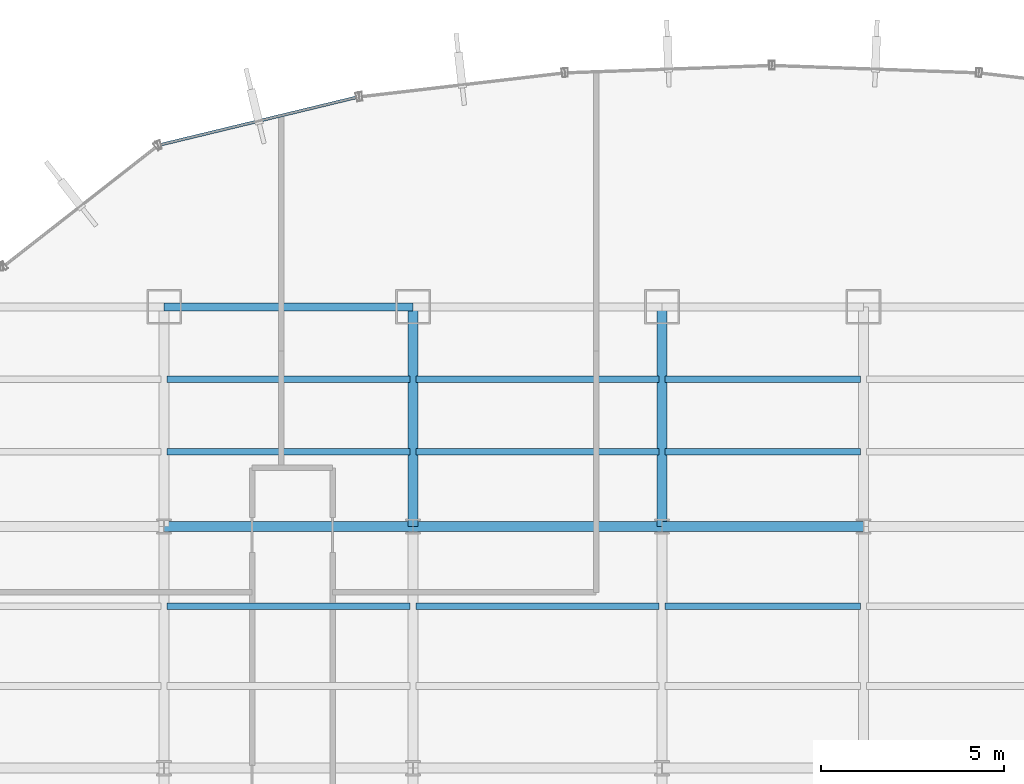
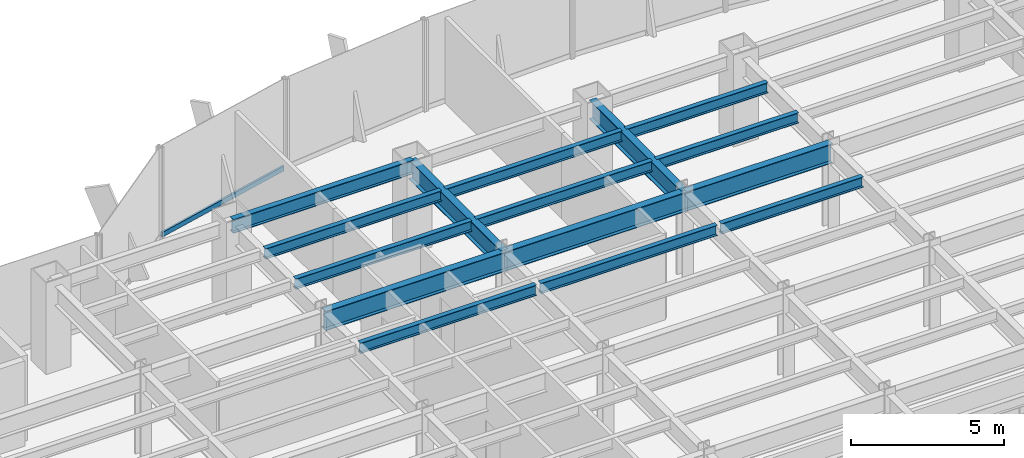
# One storey, part 11 of 22: 15 beams, 1 member, 1 element without a shape of its own.
"""IFC4 building model written with IfcOpenShell, lengths in metres."""

from ifc_helpers import new_model, si_unit, derived_unit, direction, frame, origin, origin_2d, place, context, subcontext, project, spatial, hollow_rectangle, i_section, extrude, source, transform, mapped, material, material_profile, profile_set, type_object, element, aggregate, save


model = new_model("IFC4")

# Units and contexts
model_context = context("Model", 3, precision=1e-05, world=origin(), true_north=direction((0.0, 1.0)))
body_context = subcontext(model_context, "Body", "Model", "MODEL_VIEW")
ifc_project = project(units=[si_unit("LENGTHUNIT", "METRE"), si_unit("AREAUNIT", "SQUARE_METRE"), si_unit("VOLUMEUNIT", "CUBIC_METRE"), si_unit("PLANEANGLEUNIT", "RADIAN"), si_unit("MASSUNIT", "GRAM", prefix="KILO"), derived_unit("THERMALTRANSMITTANCEUNIT", [(si_unit("POWERUNIT", "WATT"), 1), (si_unit("LENGTHUNIT", "METRE"), -2), (si_unit("THERMODYNAMICTEMPERATUREUNIT", "KELVIN"), -1)])], contexts=[model_context])

# Site, building, storey
site_placement = place(None, origin())
site = spatial("IfcSite", under=ifc_project, at=site_placement, CompositionType="ELEMENT")
building_placement = place(site_placement, origin())
building = spatial("IfcBuilding", under=site, at=building_placement, Name="Skarnbrae Concourse Arena and Tower", CompositionType="ELEMENT")
storey_placement = place(building_placement, frame((0.0, 0.0, 39.800048828125)))
storey = spatial("IfcBuildingStorey", under=building, at=storey_placement, Name="L08", CompositionType="ELEMENT", Elevation=39.800048828125)

# Beams
ifc_material_1 = material(Name="Steel CSA G40.21 350W", Category="steel")
ifc_material_profile_1 = material_profile(ifc_material_1, i_section(OverallWidth=0.26806640625, OverallDepth=0.77001953125, WebThickness=0.015625, FlangeThickness=0.025390625, at=origin_2d()), Name="W760X196")
ifc_profile_set_1 = profile_set([ifc_material_profile_1], Name="Steel CSA G40.21 350W")
beam_type_1 = type_object("IfcBeamType", Name="BM-GIRD-W760X196", PredefinedType="BEAM", material=ifc_profile_set_1)
shared_shape_1 = source(origin(), body_context, "Body", "SweptSolid", [
    extrude(i_section(OverallWidth=0.26806640625, OverallDepth=0.77001953125, WebThickness=0.015625, FlangeThickness=0.025390625, at=origin_2d()), origin(), (0.0, 0.0, 1.0), 6.800048828125),
])
for number, where, z_axis, x_axis, name in (
    (1, (14.39990234375, 34.39990234375, 3.014892578125), (1.0, 0.0, 0.0), (0.0, 1.0, 0.0), "L08 Primary E-W girder Y34.4-3"),
    (2, (21.199951171875, 34.39990234375, 3.014892578125), (1.0, 0.0, 0.0), (0.0, 1.0, 0.0), "L08 Primary E-W girder Y34.4-4"),
):
    element("IfcBeam", number, at=place(storey_placement, frame(where, z_axis=z_axis, x_axis=x_axis)), inside=storey, type_object=beam_type_1, Name=name, PredefinedType="BEAM", context=body_context, shape_type="MappedRepresentation", body=[
        mapped(shared_shape_1, transform((0.0, 0.0, 0.0))),
    ])
shared_shape_2 = source(origin(), body_context, "Body", "SweptSolid", [
    extrude(i_section(OverallWidth=0.26806640625, OverallDepth=0.77001953125, WebThickness=0.015625, FlangeThickness=0.025390625, at=origin_2d()), origin(), (0.0, 0.0, 1.0), 5.5),
])
beam_1_placement = place(storey_placement, frame((28.0, 34.39990234375, 3.014892578125), z_axis=(1.0, 0.0, 0.0), x_axis=(0.0, 1.0, 0.0)))
element("IfcBeam", 3, at=beam_1_placement, inside=storey, type_object=beam_type_1, Name="L08 Primary E-W girder Y34.4-5", PredefinedType="BEAM", context=body_context, shape_type="MappedRepresentation", body=[
    mapped(shared_shape_2, transform((0.0, 0.0, 0.0))),
])
shared_shape_3 = source(origin(), body_context, "Body", "SweptSolid", [
    extrude(i_section(OverallWidth=0.26806640625, OverallDepth=0.77001953125, WebThickness=0.015625, FlangeThickness=0.025390625, at=origin_2d()), origin(), (0.0, 0.0, 1.0), 6.0),
])
for number, where, z_axis, x_axis, name in (
    (4, (21.199951171875, 34.39990234375, 3.014892578125), (0.0, 1.0, 0.0), (-1.0, 0.0, 0.0), "L08 Primary N-S girder X21.2-4"),
    (5, (28.0, 34.39990234375, 3.014892578125), (0.0, 1.0, 0.0), (-1.0, 0.0, 0.0), "L08 Primary N-S girder X28.0-4"),
):
    element("IfcBeam", number, at=place(storey_placement, frame(where, z_axis=z_axis, x_axis=x_axis)), inside=storey, type_object=beam_type_1, Name=name, PredefinedType="BEAM", context=body_context, shape_type="MappedRepresentation", body=[
        mapped(shared_shape_3, transform((0.0, 0.0, 0.0))),
    ])
ifc_material_profile_2 = material_profile(ifc_material_1, i_section(OverallWidth=0.214111328125, OverallDepth=0.549072265625, WebThickness=0.0146484375, FlangeThickness=0.023681640625, at=origin_2d()), Name="W530X138")
ifc_profile_set_2 = profile_set([ifc_material_profile_2], Name="Steel CSA G40.21 350W")
beam_type_2 = type_object("IfcBeamType", Name="BM-SPAN-W530X138", PredefinedType="SPANDREL", material=ifc_profile_set_2)
shared_shape_4 = source(origin(), body_context, "Body", "SweptSolid", [
    extrude(i_section(OverallWidth=0.214111328125, OverallDepth=0.549072265625, WebThickness=0.0146484375, FlangeThickness=0.023681640625, at=origin_2d()), origin(), (0.0, 0.0, 1.0), 6.800048828125),
])
beam_2_placement = place(storey_placement, frame((14.39990234375, 40.39990234375, 3.12548828125), z_axis=(1.0, 0.0, 0.0), x_axis=(0.0, 1.0, 0.0)))
element("IfcBeam", 6, at=beam_2_placement, inside=storey, type_object=beam_type_2, Name="L08 Perimeter spandrel Y40.4-2", PredefinedType="SPANDREL", context=body_context, shape_type="MappedRepresentation", body=[
    mapped(shared_shape_4, transform((0.0, 0.0, 0.0))),
])
ifc_material_profile_3 = material_profile(ifc_material_1, i_section(OverallWidth=0.180908203125, OverallDepth=0.4169921875, WebThickness=0.010986328125, FlangeThickness=0.018310546875, at=origin_2d()), Name="W410X85")
ifc_profile_set_3 = profile_set([ifc_material_profile_3], Name="Steel CSA G40.21 350W")
beam_type_3 = type_object("IfcBeamType", Name="BM-JOIST-W410X85", PredefinedType="JOIST", material=ifc_profile_set_3)
shared_shape_5 = source(origin(), body_context, "Body", "SweptSolid", [
    extrude(i_section(OverallWidth=0.180908203125, OverallDepth=0.4169921875, WebThickness=0.010986328125, FlangeThickness=0.018310546875, at=origin_2d()), origin(), (0.0, 0.0, 1.0), 6.64013671875),
])
for number, where, z_axis, x_axis, name in (
    (7, (14.47998046875, 32.221923828125, 3.19140625), (1.0, 0.0, 0.0), (0.0, 1.0, 0.0), "L08 Secondary floor joist 3.2.3"),
    (8, (14.47998046875, 36.43994140625, 3.19140625), (1.0, 0.0, 0.0), (0.0, 1.0, 0.0), "L08 Secondary floor joist 4.1.2"),
    (9, (14.47998046875, 38.419921875, 3.19140625), (1.0, 0.0, 0.0), (0.0, 1.0, 0.0), "L08 Secondary floor joist 4.2.2"),
):
    element("IfcBeam", number, at=place(storey_placement, frame(where, z_axis=z_axis, x_axis=x_axis)), inside=storey, type_object=beam_type_3, Name=name, PredefinedType="JOIST", context=body_context, shape_type="MappedRepresentation", body=[
        mapped(shared_shape_5, transform((0.0, 0.0, 0.0))),
    ])
shared_shape_6 = source(origin(), body_context, "Body", "SweptSolid", [
    extrude(i_section(OverallWidth=0.180908203125, OverallDepth=0.4169921875, WebThickness=0.010986328125, FlangeThickness=0.018310546875, at=origin_2d()), origin(), (0.0, 0.0, 1.0), 6.639892578125),
])
for number, where, z_axis, x_axis, name in (
    (10, (21.280029296875, 32.221923828125, 3.19140625), (1.0, 0.0, 0.0), (0.0, 1.0, 0.0), "L08 Secondary floor joist 3.2.4"),
    (11, (21.280029296875, 36.43994140625, 3.19140625), (1.0, 0.0, 0.0), (0.0, 1.0, 0.0), "L08 Secondary floor joist 4.1.3"),
    (12, (21.280029296875, 38.419921875, 3.19140625), (1.0, 0.0, 0.0), (0.0, 1.0, 0.0), "L08 Secondary floor joist 4.2.3"),
):
    element("IfcBeam", number, at=place(storey_placement, frame(where, z_axis=z_axis, x_axis=x_axis)), inside=storey, type_object=beam_type_3, Name=name, PredefinedType="JOIST", context=body_context, shape_type="MappedRepresentation", body=[
        mapped(shared_shape_6, transform((0.0, 0.0, 0.0))),
    ])
shared_shape_7 = source(origin(), body_context, "Body", "SweptSolid", [
    extrude(i_section(OverallWidth=0.180908203125, OverallDepth=0.4169921875, WebThickness=0.010986328125, FlangeThickness=0.018310546875, at=origin_2d()), origin(), (0.0, 0.0, 1.0), 5.33984375),
])
for number, where, z_axis, x_axis, name in (
    (13, (28.080078125, 32.221923828125, 3.19140625), (1.0, 0.0, 0.0), (0.0, 1.0, 0.0), "L08 Secondary floor joist 3.2.5"),
    (14, (28.080078125, 36.43994140625, 3.19140625), (1.0, 0.0, 0.0), (0.0, 1.0, 0.0), "L08 Secondary floor joist 4.1.4"),
    (15, (28.080078125, 38.419921875, 3.19140625), (1.0, 0.0, 0.0), (0.0, 1.0, 0.0), "L08 Secondary floor joist 4.2.4"),
):
    element("IfcBeam", number, at=place(storey_placement, frame(where, z_axis=z_axis, x_axis=x_axis)), inside=storey, type_object=beam_type_3, Name=name, PredefinedType="JOIST", context=body_context, shape_type="MappedRepresentation", body=[
        mapped(shared_shape_7, transform((0.0, 0.0, 0.0))),
    ])

# Curtain wall, member
ifc_material_2 = material(Name="Bronze anodised aluminium 6063-T6", Category="aluminium")
curtain_wall_type = type_object("IfcCurtainWallType", Name="CW-SYS-02-LOWZONE", PredefinedType="USERDEFINED", material=ifc_material_2)
curtain_wall_placement = place(storey_placement, origin())
curtain_wall = element("IfcCurtainWall", 16, at=curtain_wall_placement, inside=storey, type_object=curtain_wall_type, Name="L08 Unitised curtain wall CW-L08-E14", ObjectType="UNITISED CURTAIN WALL", PredefinedType="USERDEFINED")
ifc_material_profile_4 = material_profile(ifc_material_2, hollow_rectangle(XDim=0.080078125, YDim=0.18994140625, WallThickness=0.0048828125, at=origin_2d()), Name="ALU-TRAN-80X190")
ifc_profile_set_4 = profile_set([ifc_material_profile_4], Name="Bronze anodised aluminium 6063-T6")
member_type = type_object("IfcMemberType", Name="CWT-CW-02", PredefinedType="USERDEFINED", material=ifc_profile_set_4)
shared_shape_8 = source(origin(), body_context, "Body", "SweptSolid", [
    extrude(hollow_rectangle(XDim=0.080078125, YDim=0.18994140625, WallThickness=0.0048828125, at=origin_2d()), origin(), (0.0, 0.0, 1.0), 5.4921875),
])
member_placement = place(storey_placement, frame((19.64990234375, 46.12158203125, 0.094970703125), z_axis=(-0.971980728004, -0.235060554728, 0.0), x_axis=(0.235060554728, -0.971980728004, 0.0)))
member = element("IfcMember", 17, at=member_placement, type_object=member_type, Name="CW-L08-E14 Transom 1", ObjectType="TRANSOM", PredefinedType="USERDEFINED", context=body_context, shape_type="MappedRepresentation", body=[
    mapped(shared_shape_8, transform((0.0, 0.0, 0.0))),
])
aggregate(curtain_wall, [member])

save(model, "model.ifc")
